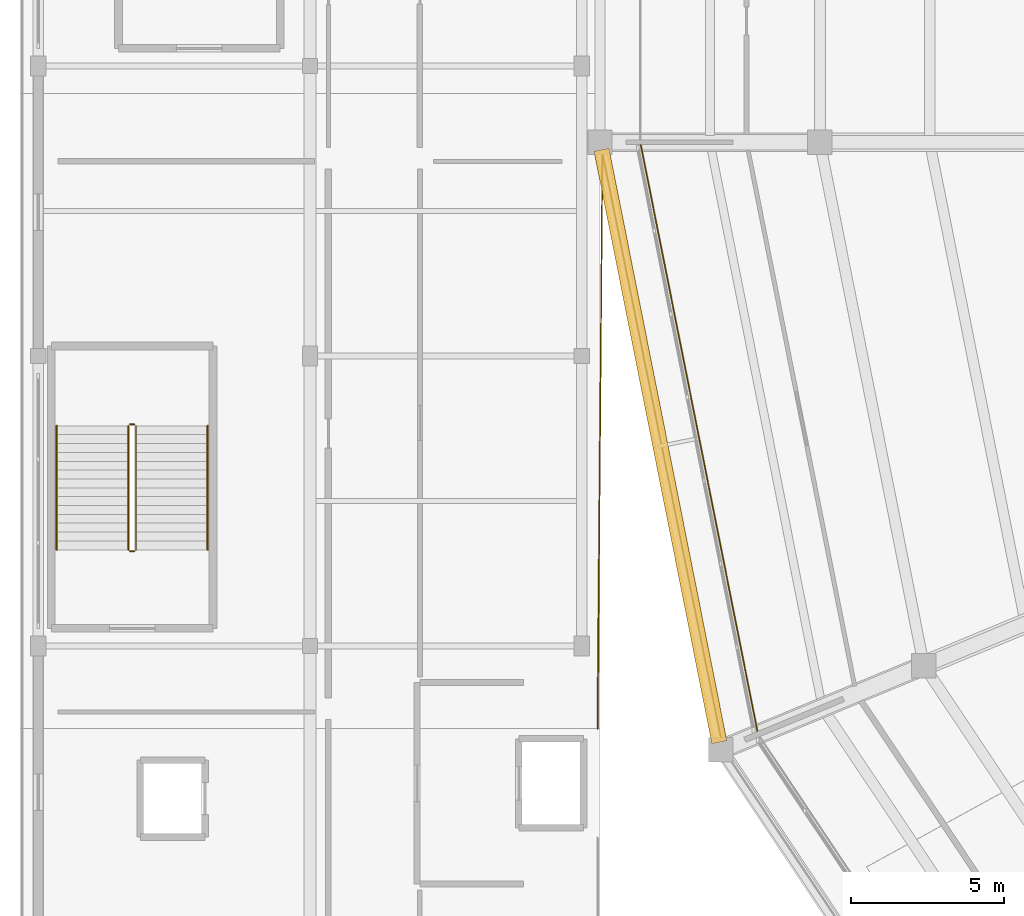
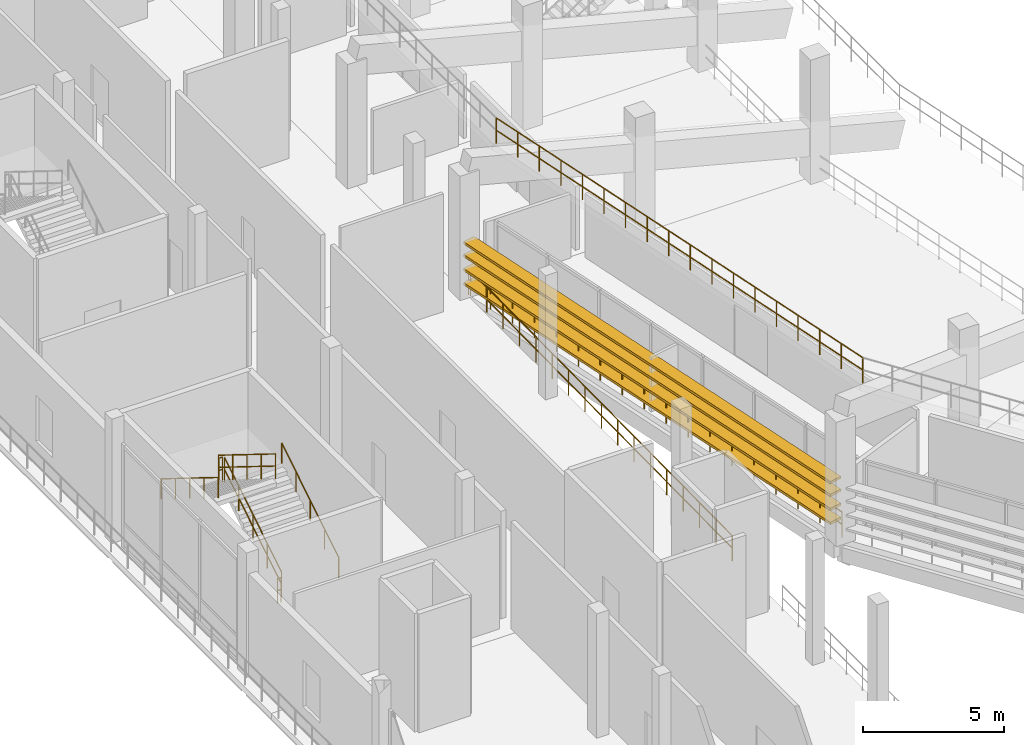
# One storey, part 77 of 96: 9 railings, 4 shading devices.
"""IFC4 building model written with IfcOpenShell, lengths in metres."""

from ifc_helpers import new_model, si_unit, direction, frame, origin, origin_2d, place, context, subcontext, project, spatial, rectangle, circle, extrude, material, layer, layer_set, type_object, element, save


model = new_model("IFC4")

# Units and contexts
model_context = context("Model", 3, precision=1e-05, world=origin(), true_north=direction((0.0, 1.0)))
body_context = subcontext(model_context, "Body", "Model", "MODEL_VIEW")
ifc_project = project(units=[si_unit("LENGTHUNIT", "METRE"), si_unit("AREAUNIT", "SQUARE_METRE"), si_unit("VOLUMEUNIT", "CUBIC_METRE"), si_unit("PLANEANGLEUNIT", "RADIAN"), si_unit("MASSUNIT", "GRAM", prefix="KILO")], contexts=[model_context])

# Site, building, storey
site_placement = place(None, origin())
site = spatial("IfcSite", under=ifc_project, at=site_placement, CompositionType="ELEMENT")
building_placement = place(site_placement, origin())
building = spatial("IfcBuilding", under=site, at=building_placement, Name="Candeia Ridge Stadium", CompositionType="ELEMENT")
storey_placement = place(building_placement, frame((0.0, 0.0, 21.60009765625)))
storey = spatial("IfcBuildingStorey", under=building, at=storey_placement, Name="L04", CompositionType="ELEMENT", Elevation=21.60009765625)

# Railings
ifc_material_1 = material(Name="Galvanized Powder-Coated Steel", Category="steel")
ifc_layer_1 = layer(ifc_material_1, 0.074951171875, Name="Galvanized Powder-Coated Steel", Category="steel")
ifc_layer_set_1 = layer_set([ifc_layer_1], Name="Galvanized Powder-Coated Steel")
railing_type_1 = type_object("IfcRailingType", Name="Spectator Bowl Front Guardrail 1120", PredefinedType="GUARDRAIL", material=ifc_layer_set_1)
railing_1_placement = place(storey_placement, frame((20.320068359375, 71.0, 6.0)))
element("IfcRailing", 1, at=railing_1_placement, inside=storey, type_object=railing_type_1, Name="Stand T3 rear safety guardrail bay 15", PredefinedType="GUARDRAIL", context=body_context, shape_type="SweptSolid", body=[
    extrude(circle(Radius=0.02392578125, at=origin_2d()), frame((0.0, 0.0, 1.09619140625), z_axis=(0.195085576731, -0.980786224287, 0.0), x_axis=(0.980786224287, 0.195085576731, 0.0)), (0.0, 0.0, 1.0), 19.774169921875),
    extrude(circle(Radius=0.02392578125, at=origin_2d()), frame((0.0, 0.0, 0.56005859375), z_axis=(0.195085576731, -0.980786224287, 0.0), x_axis=(0.980786224287, 0.195085576731, 0.0)), (0.0, 0.0, 1.0), 19.774169921875),
    extrude(circle(Radius=0.02099609375, at=origin_2d()), origin(), (0.0, 0.0, 1.0), 1.072021484375),
    extrude(circle(Radius=0.02099609375, at=origin_2d()), frame((0.226806640625, -1.140869140625, 0.0)), (0.0, 0.0, 1.0), 1.072021484375),
    extrude(circle(Radius=0.02099609375, at=origin_2d()), frame((0.453857421875, -2.28173828125, 0.0)), (0.0, 0.0, 1.0), 1.072021484375),
    extrude(circle(Radius=0.02099609375, at=origin_2d()), frame((0.6806640625, -3.422607421875, 0.0)), (0.0, 0.0, 1.0), 1.072021484375),
    extrude(circle(Radius=0.02099609375, at=origin_2d()), frame((0.90771484375, -4.5634765625, 0.0)), (0.0, 0.0, 1.0), 1.072021484375),
    extrude(circle(Radius=0.02099609375, at=origin_2d()), frame((1.134521484375, -5.7041015625, 0.0)), (0.0, 0.0, 1.0), 1.072021484375),
    extrude(circle(Radius=0.02099609375, at=origin_2d()), frame((1.361572265625, -6.844970703125, 0.0)), (0.0, 0.0, 1.0), 1.072021484375),
    extrude(circle(Radius=0.02099609375, at=origin_2d()), frame((1.58837890625, -7.98583984375, 0.0)), (0.0, 0.0, 1.0), 1.072021484375),
    extrude(circle(Radius=0.02099609375, at=origin_2d()), frame((1.8154296875, -9.126708984375, 0.0)), (0.0, 0.0, 1.0), 1.072021484375),
    extrude(circle(Radius=0.02099609375, at=origin_2d()), frame((2.042236328125, -10.267578125, 0.0)), (0.0, 0.0, 1.0), 1.072021484375),
    extrude(circle(Radius=0.02099609375, at=origin_2d()), frame((2.269287109375, -11.408447265625, 0.0)), (0.0, 0.0, 1.0), 1.072021484375),
    extrude(circle(Radius=0.02099609375, at=origin_2d()), frame((2.49609375, -12.54931640625, 0.0)), (0.0, 0.0, 1.0), 1.072021484375),
    extrude(circle(Radius=0.02099609375, at=origin_2d()), frame((2.72314453125, -13.690185546875, 0.0)), (0.0, 0.0, 1.0), 1.072021484375),
    extrude(circle(Radius=0.02099609375, at=origin_2d()), frame((2.949951171875, -14.830810546875, 0.0)), (0.0, 0.0, 1.0), 1.072021484375),
    extrude(circle(Radius=0.02099609375, at=origin_2d()), frame((3.177001953125, -15.9716796875, 0.0)), (0.0, 0.0, 1.0), 1.072021484375),
    extrude(circle(Radius=0.02099609375, at=origin_2d()), frame((3.40380859375, -17.112548828125, 0.0)), (0.0, 0.0, 1.0), 1.072021484375),
    extrude(circle(Radius=0.02099609375, at=origin_2d()), frame((3.630859375, -18.25341796875, 0.0)), (0.0, 0.0, 1.0), 1.072021484375),
    extrude(circle(Radius=0.02099609375, at=origin_2d()), frame((3.857666015625, -19.394287109375, 0.0)), (0.0, 0.0, 1.0), 1.072021484375),
])
railing_2_placement = place(storey_placement, frame((23.036865234375, 51.1162109375, 0.0)))
element("IfcRailing", 2, at=railing_2_placement, inside=storey, type_object=railing_type_1, Name="Deck edge safety guardrail GR-DE-L04-0206", PredefinedType="GUARDRAIL", context=body_context, shape_type="SweptSolid", body=[
    extrude(circle(Radius=0.02392578125, at=origin_2d()), frame((0.0, 0.0, 1.09619140625), z_axis=(-0.198632089417, 0.980074126306, 0.0), x_axis=(-0.980074126306, -0.198632089417, 0.0)), (0.0, 0.0, 1.0), 20.055419921875),
    extrude(circle(Radius=0.02392578125, at=origin_2d()), frame((0.0, 0.0, 0.56005859375), z_axis=(-0.198632089417, 0.980074126306, 0.0), x_axis=(-0.980074126306, -0.198632089417, 0.0)), (0.0, 0.0, 1.0), 20.055419921875),
    extrude(circle(Radius=0.02099609375, at=origin_2d()), origin(), (0.0, 0.0, 1.0), 1.072021484375),
    extrude(circle(Radius=0.02099609375, at=origin_2d()), frame((-0.234375, 1.15625, 0.0)), (0.0, 0.0, 1.0), 1.072021484375),
    extrude(circle(Radius=0.02099609375, at=origin_2d()), frame((-0.46875, 2.3125, 0.0)), (0.0, 0.0, 1.0), 1.072021484375),
    extrude(circle(Radius=0.02099609375, at=origin_2d()), frame((-0.702880859375, 3.46875, 0.0)), (0.0, 0.0, 1.0), 1.072021484375),
    extrude(circle(Radius=0.02099609375, at=origin_2d()), frame((-0.937255859375, 4.625, 0.0)), (0.0, 0.0, 1.0), 1.072021484375),
    extrude(circle(Radius=0.02099609375, at=origin_2d()), frame((-1.171630859375, 5.781005859375, 0.0)), (0.0, 0.0, 1.0), 1.072021484375),
    extrude(circle(Radius=0.02099609375, at=origin_2d()), frame((-1.406005859375, 6.937255859375, 0.0)), (0.0, 0.0, 1.0), 1.072021484375),
    extrude(circle(Radius=0.02099609375, at=origin_2d()), frame((-1.640380859375, 8.093505859375, 0.0)), (0.0, 0.0, 1.0), 1.072021484375),
    extrude(circle(Radius=0.02099609375, at=origin_2d()), frame((-1.874755859375, 9.249755859375, 0.0)), (0.0, 0.0, 1.0), 1.072021484375),
    extrude(circle(Radius=0.02099609375, at=origin_2d()), frame((-2.10888671875, 10.406005859375, 0.0)), (0.0, 0.0, 1.0), 1.072021484375),
    extrude(circle(Radius=0.02099609375, at=origin_2d()), frame((-2.34326171875, 11.562255859375, 0.0)), (0.0, 0.0, 1.0), 1.072021484375),
    extrude(circle(Radius=0.02099609375, at=origin_2d()), frame((-2.57763671875, 12.718505859375, 0.0)), (0.0, 0.0, 1.0), 1.072021484375),
    extrude(circle(Radius=0.02099609375, at=origin_2d()), frame((-2.81201171875, 13.874755859375, 0.0)), (0.0, 0.0, 1.0), 1.072021484375),
    extrude(circle(Radius=0.02099609375, at=origin_2d()), frame((-3.04638671875, 15.03076171875, 0.0)), (0.0, 0.0, 1.0), 1.072021484375),
    extrude(circle(Radius=0.02099609375, at=origin_2d()), frame((-3.28076171875, 16.18701171875, 0.0)), (0.0, 0.0, 1.0), 1.072021484375),
    extrude(circle(Radius=0.02099609375, at=origin_2d()), frame((-3.514892578125, 17.34326171875, 0.0)), (0.0, 0.0, 1.0), 1.072021484375),
    extrude(circle(Radius=0.02099609375, at=origin_2d()), frame((-3.749267578125, 18.49951171875, 0.0)), (0.0, 0.0, 1.0), 1.072021484375),
    extrude(circle(Radius=0.02099609375, at=origin_2d()), frame((-3.983642578125, 19.65576171875, 0.0)), (0.0, 0.0, 1.0), 1.072021484375),
])
railing_3_placement = place(storey_placement, frame((19.080078125, 70.686279296875, 0.0)))
element("IfcRailing", 3, at=railing_3_placement, inside=storey, type_object=railing_type_1, Name="Deck edge safety guardrail GR-DE-L04-0207", PredefinedType="GUARDRAIL", context=body_context, shape_type="SweptSolid", body=[
    extrude(circle(Radius=0.02392578125, at=origin_2d()), frame((0.0, 0.0, 1.09619140625), z_axis=(-0.008472958565, -0.999964103842, 0.0), x_axis=(0.999964103842, -0.008472958565, 0.0)), (0.0, 0.0, 1.0), 18.902099609375),
    extrude(circle(Radius=0.02392578125, at=origin_2d()), frame((0.0, 0.0, 0.56005859375), z_axis=(-0.008472958565, -0.999964103842, 0.0), x_axis=(0.999964103842, -0.008472958565, 0.0)), (0.0, 0.0, 1.0), 18.902099609375),
    extrude(circle(Radius=0.02099609375, at=origin_2d()), origin(), (0.0, 0.0, 1.0), 1.072021484375),
    extrude(circle(Radius=0.02099609375, at=origin_2d()), frame((-0.010009765625, -1.181396484375, 0.0)), (0.0, 0.0, 1.0), 1.072021484375),
    extrude(circle(Radius=0.02099609375, at=origin_2d()), frame((-0.02001953125, -2.36279296875, 0.0)), (0.0, 0.0, 1.0), 1.072021484375),
    extrude(circle(Radius=0.02099609375, at=origin_2d()), frame((-0.030029296875, -3.5439453125, 0.0)), (0.0, 0.0, 1.0), 1.072021484375),
    extrude(circle(Radius=0.02099609375, at=origin_2d()), frame((-0.0400390625, -4.725341796875, 0.0)), (0.0, 0.0, 1.0), 1.072021484375),
    extrude(circle(Radius=0.02099609375, at=origin_2d()), frame((-0.050048828125, -5.90673828125, 0.0)), (0.0, 0.0, 1.0), 1.072021484375),
    extrude(circle(Radius=0.02099609375, at=origin_2d()), frame((-0.06005859375, -7.087890625, 0.0)), (0.0, 0.0, 1.0), 1.072021484375),
    extrude(circle(Radius=0.02099609375, at=origin_2d()), frame((-0.070068359375, -8.269287109375, 0.0)), (0.0, 0.0, 1.0), 1.072021484375),
    extrude(circle(Radius=0.02099609375, at=origin_2d()), frame((-0.080078125, -9.45068359375, 0.0)), (0.0, 0.0, 1.0), 1.072021484375),
    extrude(circle(Radius=0.02099609375, at=origin_2d()), frame((-0.090087890625, -10.632080078125, 0.0)), (0.0, 0.0, 1.0), 1.072021484375),
    extrude(circle(Radius=0.02099609375, at=origin_2d()), frame((-0.10009765625, -11.8134765625, 0.0)), (0.0, 0.0, 1.0), 1.072021484375),
    extrude(circle(Radius=0.02099609375, at=origin_2d()), frame((-0.110107421875, -12.99462890625, 0.0)), (0.0, 0.0, 1.0), 1.072021484375),
    extrude(circle(Radius=0.02099609375, at=origin_2d()), frame((-0.1201171875, -14.176025390625, 0.0)), (0.0, 0.0, 1.0), 1.072021484375),
    extrude(circle(Radius=0.02099609375, at=origin_2d()), frame((-0.130126953125, -15.357421875, 0.0)), (0.0, 0.0, 1.0), 1.072021484375),
    extrude(circle(Radius=0.02099609375, at=origin_2d()), frame((-0.14013671875, -16.53857421875, 0.0)), (0.0, 0.0, 1.0), 1.072021484375),
    extrude(circle(Radius=0.02099609375, at=origin_2d()), frame((-0.150146484375, -17.719970703125, 0.0)), (0.0, 0.0, 1.0), 1.072021484375),
    extrude(circle(Radius=0.02099609375, at=origin_2d()), frame((-0.16015625, -18.9013671875, 0.0)), (0.0, 0.0, 1.0), 1.072021484375),
])
ifc_material_2 = material(Name="Brushed Stainless Steel", Category="steel")
ifc_layer_2 = layer(ifc_material_2, 0.048095703125, Name="Brushed Stainless Steel", Category="steel")
ifc_layer_set_2 = layer_set([ifc_layer_2], Name="Brushed Stainless Steel")
railing_type_2 = type_object("IfcRailingType", Name="Stair Wall & Flight Handrail 900", PredefinedType="HANDRAIL", material=ifc_layer_set_2)
railing_4_placement = place(storey_placement, frame((6.14990234375, 57.64990234375, 0.179931640625)))
element("IfcRailing", 4, at=railing_4_placement, inside=storey, type_object=railing_type_2, Name="L04 ST05 stair handrail 1", PredefinedType="HANDRAIL", context=body_context, shape_type="SweptSolid", body=[
    extrude(circle(Radius=0.02392578125, at=origin_2d()), frame((0.0, 0.0, 0.8759765625), z_axis=(0.0, 0.849641744969, 0.527360318194), x_axis=(-1.0, 0.0, 0.0)), (0.0, 0.0, 1.0), 4.778564453125),
    extrude(circle(Radius=0.02099609375, at=origin_2d()), origin(), (0.0, 0.0, 1.0), 0.851806640625),
    extrude(circle(Radius=0.02099609375, at=origin_2d()), frame((0.0, 1.01513671875, 0.6298828125)), (0.0, 0.0, 1.0), 0.851806640625),
    extrude(circle(Radius=0.02099609375, at=origin_2d()), frame((0.0, 2.030029296875, 1.260009765625)), (0.0, 0.0, 1.0), 0.851806640625),
    extrude(circle(Radius=0.02099609375, at=origin_2d()), frame((0.0, 3.044921875, 1.89013671875)), (0.0, 0.0, 1.0), 0.851806640625),
    extrude(circle(Radius=0.02099609375, at=origin_2d()), frame((0.0, 4.06005859375, 2.52001953125)), (0.0, 0.0, 1.0), 0.851806640625),
])
railing_5_placement = place(storey_placement, frame((1.199951171875, 61.7099609375, 2.8798828125)))
element("IfcRailing", 5, at=railing_5_placement, inside=storey, type_object=railing_type_2, Name="L04 ST05 stair handrail 2", PredefinedType="HANDRAIL", context=body_context, shape_type="SweptSolid", body=[
    extrude(circle(Radius=0.02392578125, at=origin_2d()), frame((0.0, 0.0, 0.8759765625), z_axis=(0.0, -0.849641744969, 0.527360318194), x_axis=(1.0, 0.0, 0.0)), (0.0, 0.0, 1.0), 4.778564453125),
    extrude(circle(Radius=0.02099609375, at=origin_2d()), origin(), (0.0, 0.0, 1.0), 0.851806640625),
    extrude(circle(Radius=0.02099609375, at=origin_2d()), frame((0.0, -1.01513671875, 0.6298828125)), (0.0, 0.0, 1.0), 0.851806640625),
    extrude(circle(Radius=0.02099609375, at=origin_2d()), frame((0.0, -2.030029296875, 1.260009765625)), (0.0, 0.0, 1.0), 0.851806640625),
    extrude(circle(Radius=0.02099609375, at=origin_2d()), frame((0.0, -3.044921875, 1.89013671875)), (0.0, 0.0, 1.0), 0.851806640625),
    extrude(circle(Radius=0.02099609375, at=origin_2d()), frame((0.0, -4.06005859375, 2.52001953125)), (0.0, 0.0, 1.0), 0.851806640625),
])
ifc_layer_3 = layer(ifc_material_1, 0.06005859375, Name="Galvanized Powder-Coated Steel", Category="steel")
ifc_layer_set_3 = layer_set([ifc_layer_3], Name="Galvanized Powder-Coated Steel")
railing_type_3 = type_object("IfcRailingType", Name="Stair Well Guardrail 1100", PredefinedType="GUARDRAIL", material=ifc_layer_set_3)
railing_6_placement = place(storey_placement, frame((3.800048828125, 57.64990234375, 0.179931640625)))
element("IfcRailing", 6, at=railing_6_placement, inside=storey, type_object=railing_type_3, Name="L04 ST05 stair guard 1", PredefinedType="GUARDRAIL", context=body_context, shape_type="SweptSolid", body=[
    extrude(circle(Radius=0.02392578125, at=origin_2d()), frame((0.0, 0.0, 1.076171875), z_axis=(0.0, 0.849641744969, 0.527360318194), x_axis=(-1.0, 0.0, 0.0)), (0.0, 0.0, 1.0), 4.778564453125),
    extrude(circle(Radius=0.02392578125, at=origin_2d()), frame((0.0, 0.0, 0.550048828125), z_axis=(0.0, 0.849641744969, 0.527360318194), x_axis=(-1.0, 0.0, 0.0)), (0.0, 0.0, 1.0), 4.778564453125),
    extrude(circle(Radius=0.02099609375, at=origin_2d()), origin(), (0.0, 0.0, 1.0), 1.052001953125),
    extrude(circle(Radius=0.02099609375, at=origin_2d()), frame((0.0, 1.01513671875, 0.6298828125)), (0.0, 0.0, 1.0), 1.052001953125),
    extrude(circle(Radius=0.02099609375, at=origin_2d()), frame((0.0, 2.030029296875, 1.260009765625)), (0.0, 0.0, 1.0), 1.052001953125),
    extrude(circle(Radius=0.02099609375, at=origin_2d()), frame((0.0, 3.044921875, 1.89013671875)), (0.0, 0.0, 1.0), 1.052001953125),
    extrude(circle(Radius=0.02099609375, at=origin_2d()), frame((0.0, 4.06005859375, 2.52001953125)), (0.0, 0.0, 1.0), 1.052001953125),
])
railing_7_placement = place(storey_placement, frame((3.75, 61.760009765625, 2.699951171875)))
element("IfcRailing", 7, at=railing_7_placement, inside=storey, type_object=railing_type_3, Name="L04 ST05 stair guard 2", PredefinedType="GUARDRAIL", context=body_context, shape_type="SweptSolid", body=[
    extrude(circle(Radius=0.02392578125, at=origin_2d()), frame((0.0, 0.0, 1.076171875), z_axis=(-1.0, 0.0, 0.0), x_axis=(0.0, -1.0, 0.0)), (0.0, 0.0, 1.0), 0.14990234375),
    extrude(circle(Radius=0.02392578125, at=origin_2d()), frame((0.0, 0.0, 0.550048828125), z_axis=(-1.0, 0.0, 0.0), x_axis=(0.0, -1.0, 0.0)), (0.0, 0.0, 1.0), 0.14990234375),
    extrude(circle(Radius=0.02099609375, at=origin_2d()), origin(), (0.0, 0.0, 1.0), 1.052001953125),
    extrude(circle(Radius=0.02099609375, at=origin_2d()), frame((-0.14990234375, 0.0, 0.0)), (0.0, 0.0, 1.0), 1.052001953125),
])
railing_8_placement = place(storey_placement, frame((3.550048828125, 61.7099609375, 2.8798828125)))
element("IfcRailing", 8, at=railing_8_placement, inside=storey, type_object=railing_type_3, Name="L04 ST05 stair guard 3", PredefinedType="GUARDRAIL", context=body_context, shape_type="SweptSolid", body=[
    extrude(circle(Radius=0.02392578125, at=origin_2d()), frame((0.0, 0.0, 1.076171875), z_axis=(0.0, -0.849641744969, 0.527360318194), x_axis=(1.0, 0.0, 0.0)), (0.0, 0.0, 1.0), 4.778564453125),
    extrude(circle(Radius=0.02392578125, at=origin_2d()), frame((0.0, 0.0, 0.550048828125), z_axis=(0.0, -0.849641744969, 0.527360318194), x_axis=(1.0, 0.0, 0.0)), (0.0, 0.0, 1.0), 4.778564453125),
    extrude(circle(Radius=0.02099609375, at=origin_2d()), origin(), (0.0, 0.0, 1.0), 1.052001953125),
    extrude(circle(Radius=0.02099609375, at=origin_2d()), frame((0.0, -1.01513671875, 0.6298828125)), (0.0, 0.0, 1.0), 1.052001953125),
    extrude(circle(Radius=0.02099609375, at=origin_2d()), frame((0.0, -2.030029296875, 1.260009765625)), (0.0, 0.0, 1.0), 1.052001953125),
    extrude(circle(Radius=0.02099609375, at=origin_2d()), frame((0.0, -3.044921875, 1.89013671875)), (0.0, 0.0, 1.0), 1.052001953125),
    extrude(circle(Radius=0.02099609375, at=origin_2d()), frame((0.0, -4.06005859375, 2.52001953125)), (0.0, 0.0, 1.0), 1.052001953125),
])
railing_9_placement = place(storey_placement, frame((3.75, 57.60009765625, 0.0)))
element("IfcRailing", 9, at=railing_9_placement, inside=storey, type_object=railing_type_3, Name="L04 ST05 stair guard 4", PredefinedType="GUARDRAIL", context=body_context, shape_type="SweptSolid", body=[
    extrude(circle(Radius=0.02392578125, at=origin_2d()), frame((0.0, 0.0, 1.076171875), z_axis=(-1.0, 0.0, 0.0), x_axis=(0.0, -1.0, 0.0)), (0.0, 0.0, 1.0), 0.14990234375),
    extrude(circle(Radius=0.02392578125, at=origin_2d()), frame((0.0, 0.0, 0.550048828125), z_axis=(-1.0, 0.0, 0.0), x_axis=(0.0, -1.0, 0.0)), (0.0, 0.0, 1.0), 0.14990234375),
    extrude(circle(Radius=0.02099609375, at=origin_2d()), origin(), (0.0, 0.0, 1.0), 1.052001953125),
    extrude(circle(Radius=0.02099609375, at=origin_2d()), frame((-0.14990234375, 0.0, 0.0)), (0.0, 0.0, 1.0), 1.052001953125),
])

# Shading devices
ifc_material_3 = material(Name="Aluminium Anodized Warm Bronze", Category="aluminium")
shading_device_type = type_object("IfcShadingDeviceType", Name="Weathered Bronze Horizontal Solar Rib 500x105", PredefinedType="JALOUSIE", material=ifc_material_3)
for number, where, z_axis, x_axis, name in (
    (10, (20.979248046875, 61.05029296875, 0.557373046875), (0.0, 0.0, 1.0), (0.195090311899, -0.980785282416, 0.0), "Weathered bronze horizontal solar rib L04 bay 15-1"),
    (11, (20.979248046875, 61.05029296875, 1.167236328125), (0.0, 0.0, 1.0), (0.195090311899, -0.980785282416, 0.0), "Weathered bronze horizontal solar rib L04 bay 15-2"),
    (12, (20.979248046875, 61.05029296875, 1.777099609375), (0.0, 0.0, 1.0), (0.195090311899, -0.980785282416, 0.0), "Weathered bronze horizontal solar rib L04 bay 15-3"),
    (13, (20.979248046875, 61.05029296875, 2.33154296875), (0.0, 0.0, 1.0), (0.195090311899, -0.980785282416, 0.0), "Weathered bronze horizontal solar rib L04 bay 15-4"),
):
    element("IfcShadingDevice", number, at=place(storey_placement, frame(where, z_axis=z_axis, x_axis=x_axis)), inside=storey, type_object=shading_device_type, Name=name, PredefinedType="JALOUSIE", context=body_context, shape_type="SweptSolid", body=[
        extrude(rectangle(XDim=19.789306640625, YDim=0.5, at=origin_2d()), origin(), (0.0, 0.0, 1.0), 0.10498046875),
    ])

save(model, "model.ifc")
